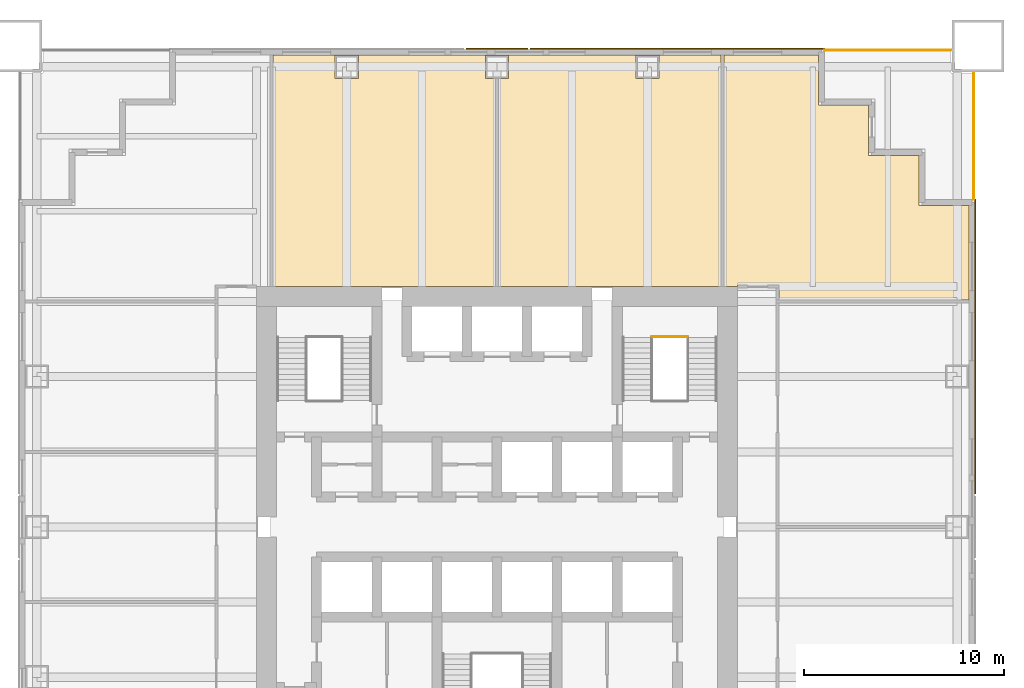
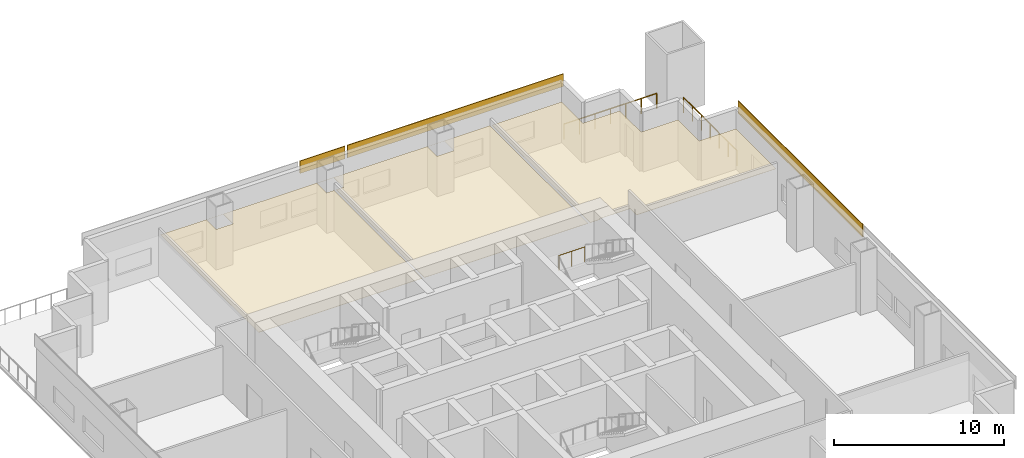
# One storey, part 7 of 7: 6 coverings, 3 railings.
"""IFC4 building model written with IfcOpenShell, lengths in metres."""

from ifc_helpers import new_model, si_unit, direction, frame, origin, origin_2d, place, context, subcontext, project, spatial, polyline, rectangle, circle, outline, extrude, material, layer, layer_set, type_object, element, save


model = new_model("IFC4")

# Units and contexts
model_context = context("Model", 3, precision=1e-05, world=origin(), true_north=direction((0.0, 1.0)))
body_context = subcontext(model_context, "Body", "Model", "MODEL_VIEW")
ifc_project = project(units=[si_unit("LENGTHUNIT", "METRE"), si_unit("AREAUNIT", "SQUARE_METRE"), si_unit("VOLUMEUNIT", "CUBIC_METRE"), si_unit("PLANEANGLEUNIT", "RADIAN"), si_unit("MASSUNIT", "GRAM", prefix="KILO")], contexts=[model_context])

# Site, building, storey
site_placement = place(None, origin())
site = spatial("IfcSite", under=ifc_project, at=site_placement, CompositionType="ELEMENT")
building_placement = place(site_placement, origin())
building = spatial("IfcBuilding", under=site, at=building_placement, Name="Tarangal Relay Tower", CompositionType="ELEMENT")
storey_placement = place(building_placement, frame((0.0, 0.0, 149.39990234375)))
storey = spatial("IfcBuildingStorey", under=building, at=storey_placement, Name="L30", CompositionType="ELEMENT", Elevation=149.39990234375)

# Coverings
ifc_material_1 = material(Name="Black anodised aluminium cladding", Category="aluminium")
ifc_layer_1 = layer(ifc_material_1, 0.050048828125)
ifc_layer_set_1 = layer_set([ifc_layer_1], Name="Black metal spandrel band")
covering_type_1 = type_object("IfcCoveringType", Name="Black metal spandrel band", PredefinedType="CLADDING", material=ifc_layer_set_1)
covering_1_placement = place(storey_placement, frame((0.0, 23.875, 3.750244140625), z_axis=(0.0, 0.0, 1.0), x_axis=(1.0, 0.0, 0.0)))
element("IfcCovering", 1, at=covering_1_placement, inside=storey, type_object=covering_type_1, Name="Spandrel band SB1 N L30", PredefinedType="CLADDING", context=body_context, shape_type="SweptSolid", body=[
    extrude(rectangle(XDim=3.06005859375, YDim=0.050048828125, at=origin_2d()), origin(), (0.0, 0.0, 1.0), 0.89990234375),
])
for number, where, z_axis, x_axis, name in (
    (2, (9.010009765625, 23.875, 3.750244140625), (0.0, 0.0, 1.0), (1.0, 0.0, 0.0), "Spandrel band SB1 N L30"),
    (3, (23.875, 9.010009765625, 3.750244140625), (0.0, 0.0, 1.0), (0.0, -1.0, 0.0), "Spandrel band SB1 E L30"),
):
    element("IfcCovering", number, at=place(storey_placement, frame(where, z_axis=z_axis, x_axis=x_axis)), inside=storey, type_object=covering_type_1, Name=name, PredefinedType="CLADDING", context=body_context, shape_type="SweptSolid", body=[
        extrude(rectangle(XDim=14.679931640625, YDim=0.050048828125, at=origin_2d()), origin(), (0.0, 0.0, 1.0), 0.89990234375),
    ])

# Railing
ifc_material_2 = material(Name="Steel guard, black finish", Category="steel")
railing_type_1 = type_object("IfcRailingType", Name="Stair guard 1100", PredefinedType="GUARDRAIL", material=ifc_material_2)
railing_1_placement = place(storey_placement, frame((7.75, 9.498046875, 2.25)))
element("IfcRailing", 4, at=railing_1_placement, inside=storey, type_object=railing_type_1, Name="Stair ST-B landing guard GR1 L30", PredefinedType="GUARDRAIL", context=body_context, shape_type="SweptSolid", body=[
    extrude(circle(Radius=0.02392578125, at=origin_2d()), frame((0.0, 0.0, 1.076171875), z_axis=(1.0, 0.0, 0.0), x_axis=(0.0, 1.0, 0.0)), (0.0, 0.0, 1.0), 1.75),
    extrude(circle(Radius=0.02099609375, at=origin_2d()), origin(), (0.0, 0.0, 1.0), 1.052001953125),
    extrude(circle(Radius=0.02099609375, at=origin_2d()), frame((0.875, 0.0, 0.0)), (0.0, 0.0, 1.0), 1.052001953125),
    extrude(circle(Radius=0.02099609375, at=origin_2d()), frame((1.75, 0.0, 0.0)), (0.0, 0.0, 1.0), 1.052001953125),
])

# Coverings
ifc_material_3 = material(Name="Mineral fibre ceiling tiles", Category="gypsum")
ifc_layer_2 = layer(ifc_material_3, 0.02001953125)
ifc_layer_set_2 = layer_set([ifc_layer_2], Name="Suspended ceiling")
covering_type_2 = type_object("IfcCoveringType", Name="Suspended ceiling", PredefinedType="CEILING", material=ifc_layer_set_2)
covering_2_placement = place(storey_placement, frame((0.0, 0.0, 2.900146484375)))
element("IfcCovering", 5, at=covering_2_placement, inside=storey, type_object=covering_type_2, Name="Suspended ceiling CL1 L30-02", PredefinedType="CEILING", context=body_context, shape_type="SweptSolid", body=[
    extrude(outline(polyline([(-0.074951171875, 22.389892578125), (-0.574951171875, 22.389892578125), (-0.574951171875, 23.5400390625), (0.0, 23.5400390625), (0.0, 23.550048828125), (-11.175048828125, 23.550048828125), (-11.175048828125, 12.0), (-0.074951171875, 12.0), (-0.074951171875, 22.389892578125)]), holes=[polyline([(-6.925048828125, 22.389892578125), (-6.925048828125, 23.5400390625), (-8.074951171875, 23.5400390625), (-8.074951171875, 22.389892578125), (-6.925048828125, 22.389892578125)])]), origin(), (0.0, 0.0, 1.0), 0.02001953125),
])
covering_3_placement = place(storey_placement, frame((0.0, 0.0, 2.900146484375)))
element("IfcCovering", 6, at=covering_3_placement, inside=storey, type_object=covering_type_2, Name="Suspended ceiling CL1 L30-03", PredefinedType="CEILING", context=body_context, shape_type="SweptSolid", body=[
    extrude(outline(polyline([(0.074951171875, 12.0), (11.175048828125, 12.0), (11.175048828125, 23.550048828125), (0.0, 23.550048828125), (0.0, 23.5400390625), (0.574951171875, 23.5400390625), (0.574951171875, 22.389892578125), (0.074951171875, 22.389892578125), (0.074951171875, 12.0)]), holes=[polyline([(8.074951171875, 22.389892578125), (8.074951171875, 23.5400390625), (6.925048828125, 23.5400390625), (6.925048828125, 22.389892578125), (8.074951171875, 22.389892578125)])]), origin(), (0.0, 0.0, 1.0), 0.02001953125),
])
covering_4_placement = place(storey_placement, frame((0.0, 0.0, 2.900146484375)))
element("IfcCovering", 7, at=covering_4_placement, inside=storey, type_object=covering_type_2, Name="Suspended ceiling CL1 L30-12", PredefinedType="CEILING", context=body_context, shape_type="SweptSolid", body=[
    extrude(outline(polyline([(11.324951171875, 23.550048828125), (11.324951171875, 12.0), (12.0, 12.0), (12.0, 12.074951171875), (14.074951171875, 12.074951171875), (14.074951171875, 11.324951171875), (23.550048828125, 11.324951171875), (23.550048828125, 16.050048828125), (21.050048828125, 16.050048828125), (21.050048828125, 18.550048828125), (18.550048828125, 18.550048828125), (18.550048828125, 21.050048828125), (16.050048828125, 21.050048828125), (16.050048828125, 23.550048828125), (11.324951171875, 23.550048828125)])), origin(), (0.0, 0.0, 1.0), 0.02001953125),
])

# Railings
ifc_material_4 = material(Name="Black steel guard with glass infill", Category="steel")
railing_type_2 = type_object("IfcRailingType", Name="Terrace guard 1100", PredefinedType="GUARDRAIL", material=ifc_material_4)
railing_2_placement = place(storey_placement, frame((16.35009765625, 23.800048828125, 0.0)))
element("IfcRailing", 8, at=railing_2_placement, inside=storey, type_object=railing_type_2, Name="Terrace guard GR2 NE L30", PredefinedType="GUARDRAIL", context=body_context, shape_type="SweptSolid", body=[
    extrude(circle(Radius=0.02392578125, at=origin_2d()), frame((0.0, 0.0, 1.076171875), z_axis=(1.0, 0.0, 0.0), x_axis=(0.0, 1.0, 0.0)), (0.0, 0.0, 1.0), 6.2998046875),
    extrude(circle(Radius=0.02099609375, at=origin_2d()), origin(), (0.0, 0.0, 1.0), 1.052001953125),
    extrude(circle(Radius=0.02099609375, at=origin_2d()), frame((1.050048828125, 0.0, 0.0)), (0.0, 0.0, 1.0), 1.052001953125),
    extrude(circle(Radius=0.02099609375, at=origin_2d()), frame((2.099853515625, 0.0, 0.0)), (0.0, 0.0, 1.0), 1.052001953125),
    extrude(circle(Radius=0.02099609375, at=origin_2d()), frame((3.14990234375, 0.0, 0.0)), (0.0, 0.0, 1.0), 1.052001953125),
    extrude(circle(Radius=0.02099609375, at=origin_2d()), frame((4.199951171875, 0.0, 0.0)), (0.0, 0.0, 1.0), 1.052001953125),
    extrude(circle(Radius=0.02099609375, at=origin_2d()), frame((5.249755859375, 0.0, 0.0)), (0.0, 0.0, 1.0), 1.052001953125),
    extrude(circle(Radius=0.02099609375, at=origin_2d()), frame((6.2998046875, 0.0, 0.0)), (0.0, 0.0, 1.0), 1.052001953125),
])
railing_3_placement = place(storey_placement, frame((23.800048828125, 22.64990234375, 0.0)))
element("IfcRailing", 9, at=railing_3_placement, inside=storey, type_object=railing_type_2, Name="Terrace guard GR2 NE L30", PredefinedType="GUARDRAIL", context=body_context, shape_type="SweptSolid", body=[
    extrude(circle(Radius=0.02392578125, at=origin_2d()), frame((0.0, 0.0, 1.076171875), z_axis=(0.0, -1.0, 0.0), x_axis=(1.0, 0.0, 0.0)), (0.0, 0.0, 1.0), 6.2998046875),
    extrude(circle(Radius=0.02099609375, at=origin_2d()), origin(), (0.0, 0.0, 1.0), 1.052001953125),
    extrude(circle(Radius=0.02099609375, at=origin_2d()), frame((0.0, -1.050048828125, 0.0)), (0.0, 0.0, 1.0), 1.052001953125),
    extrude(circle(Radius=0.02099609375, at=origin_2d()), frame((0.0, -2.099853515625, 0.0)), (0.0, 0.0, 1.0), 1.052001953125),
    extrude(circle(Radius=0.02099609375, at=origin_2d()), frame((0.0, -3.14990234375, 0.0)), (0.0, 0.0, 1.0), 1.052001953125),
    extrude(circle(Radius=0.02099609375, at=origin_2d()), frame((0.0, -4.199951171875, 0.0)), (0.0, 0.0, 1.0), 1.052001953125),
    extrude(circle(Radius=0.02099609375, at=origin_2d()), frame((0.0, -5.249755859375, 0.0)), (0.0, 0.0, 1.0), 1.052001953125),
    extrude(circle(Radius=0.02099609375, at=origin_2d()), frame((0.0, -6.2998046875, 0.0)), (0.0, 0.0, 1.0), 1.052001953125),
])

save(model, "model.ifc")
